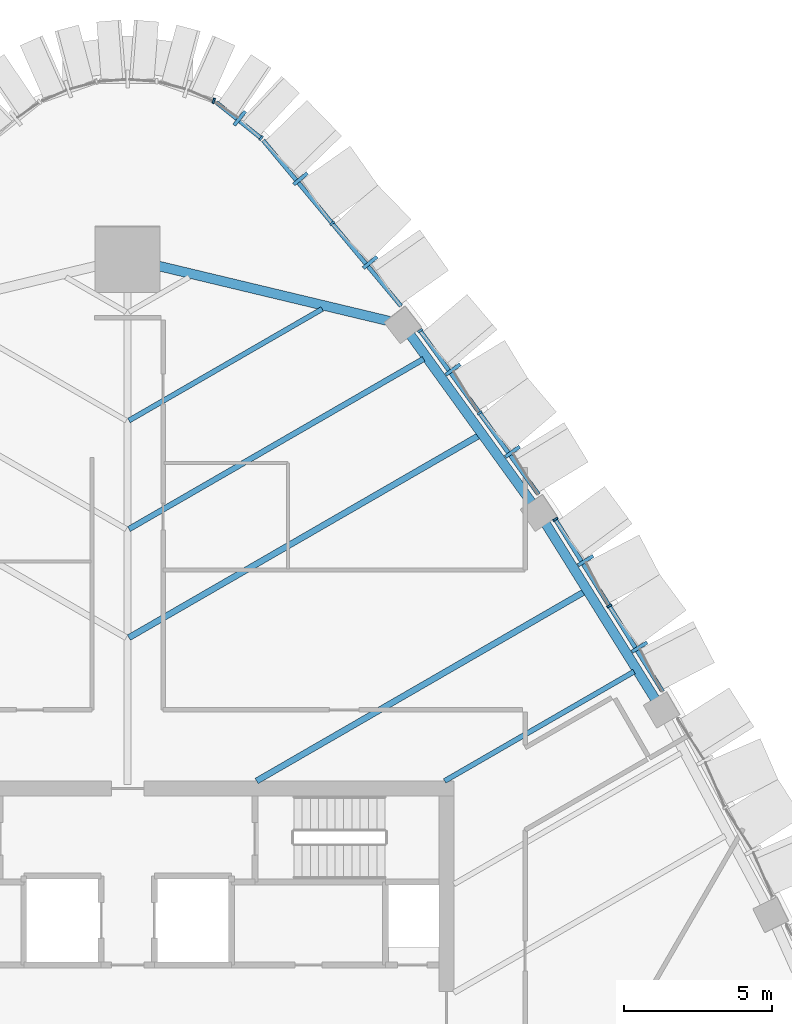
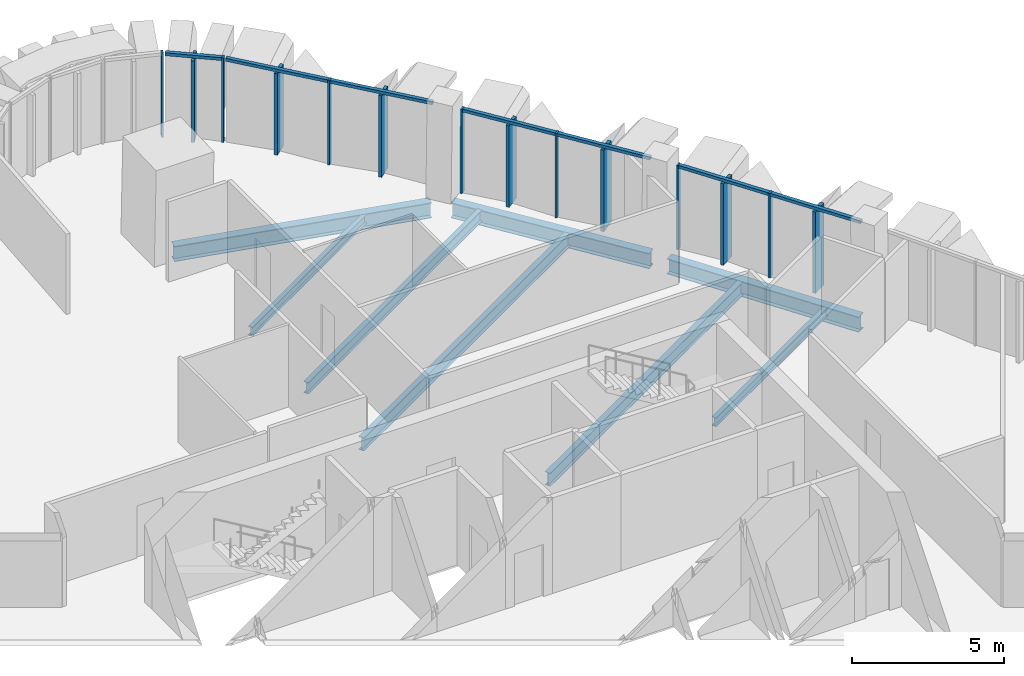
# One storey, part 7 of 19: 21 members, 8 beams, 5 elements without a shape of their own.
"""IFC4 building model written with IfcOpenShell, lengths in metres."""

from ifc_helpers import new_model, si_unit, direction, frame, origin, origin_2d, place, context, subcontext, project, spatial, rectangle, i_section, extrude, material, layer, layer_set, material_profile, profile_set, type_object, element, aggregate, save


model = new_model("IFC4")

# Units and contexts
model_context = context("Model", 3, precision=1e-05, world=origin(), true_north=direction((0.0, 1.0)))
body_context = subcontext(model_context, "Body", "Model", "MODEL_VIEW")
ifc_project = project(units=[si_unit("LENGTHUNIT", "METRE"), si_unit("AREAUNIT", "SQUARE_METRE"), si_unit("VOLUMEUNIT", "CUBIC_METRE"), si_unit("PLANEANGLEUNIT", "RADIAN"), si_unit("MASSUNIT", "GRAM", prefix="KILO")], contexts=[model_context])

# Site, building, storey
site_placement = place(None, origin())
site = spatial("IfcSite", under=ifc_project, at=site_placement, CompositionType="ELEMENT")
building_placement = place(site_placement, origin())
building = spatial("IfcBuilding", under=site, at=building_placement, Name="Sierra Prisma Convention Tower", CompositionType="ELEMENT")
storey_placement = place(building_placement, frame((0.0, 0.0, 235.0)))
storey = spatial("IfcBuildingStorey", under=building, at=storey_placement, Name="L52", CompositionType="ELEMENT", Elevation=235.0)

# Curtain wall, members
ifc_material_1 = material(Name="Aluminium and glass curtain wall", Category="aluminium")
ifc_layer = layer(ifc_material_1, 0.179931640625)
ifc_layer_set = layer_set([ifc_layer], Name="CW-2 Faceted crystal curtain wall")
curtain_wall_type = type_object("IfcCurtainWallType", Name="CW-2 Faceted crystal curtain wall", PredefinedType="NOTDEFINED", material=ifc_layer_set)
curtain_wall_1_placement = place(storey_placement, origin())
curtain_wall_1 = element("IfcCurtainWall", 1, at=curtain_wall_1_placement, inside=storey, type_object=curtain_wall_type, Name="CW-2 NE4 L52", PredefinedType="NOTDEFINED")
ifc_material_2 = material(Name="Aluminium 6063-T6 bronze anodised", Category="aluminium")
ifc_material_profile_1 = material_profile(ifc_material_2, rectangle(XDim=0.1201171875, YDim=0.60009765625, at=origin_2d()), Name="ALU RIDGE BLADE 120x600")
ifc_profile_set_1 = profile_set([ifc_material_profile_1], Name="Aluminium 6063-T6 bronze anodised")
member_type_1 = type_object("IfcMemberType", Name="CW hip bronze", PredefinedType="MULLION", material=ifc_profile_set_1)
member_1_placement = place(storey_placement, frame((17.260009765625, 12.513671875, 0.0), z_axis=(0.0, 0.0, 1.0), x_axis=(-0.529231619492, 0.848477396829, 0.0)))
member_1 = element("IfcMember", 2, at=member_1_placement, type_object=member_type_1, Name="CW-2 ridge NE4.1", PredefinedType="MULLION", context=body_context, shape_type="SweptSolid", body=[
    extrude(rectangle(XDim=0.1201171875, YDim=0.60009765625, at=origin_2d()), origin(), (0.0, 0.0, 1.0), 3.280029296875),
])
member_2_placement = place(storey_placement, frame((15.440673828125, 15.430419921875, 0.0), z_axis=(0.0, 0.0, 1.0), x_axis=(-0.529231619492, 0.848477396829, 0.0)))
member_2 = element("IfcMember", 3, at=member_2_placement, type_object=member_type_1, Name="CW-2 ridge NE4.2", PredefinedType="MULLION", context=body_context, shape_type="SweptSolid", body=[
    extrude(rectangle(XDim=0.1201171875, YDim=0.60009765625, at=origin_2d()), origin(), (0.0, 0.0, 1.0), 3.280029296875),
])

curtain_wall_2_placement = place(storey_placement, origin())
curtain_wall_2 = element("IfcCurtainWall", 4, at=curtain_wall_2_placement, inside=storey, type_object=curtain_wall_type, Name="CW-2 NE5 L52", PredefinedType="NOTDEFINED")
member_3_placement = place(storey_placement, frame((12.975830078125, 19.09765625, 0.0), z_axis=(0.0, 0.0, 1.0), x_axis=(-0.585816025717, 0.810444065937, 0.0)))
member_3 = element("IfcMember", 5, at=member_3_placement, type_object=member_type_1, Name="CW-2 ridge NE5.1", PredefinedType="MULLION", context=body_context, shape_type="SweptSolid", body=[
    extrude(rectangle(XDim=0.1201171875, YDim=0.60009765625, at=origin_2d()), origin(), (0.0, 0.0, 1.0), 3.280029296875),
])
member_4_placement = place(storey_placement, frame((10.970947265625, 21.871337890625, 0.0), z_axis=(0.0, 0.0, 1.0), x_axis=(-0.585816025717, 0.810444065937, 0.0)))
member_4 = element("IfcMember", 6, at=member_4_placement, type_object=member_type_1, Name="CW-2 ridge NE5.2", PredefinedType="MULLION", context=body_context, shape_type="SweptSolid", body=[
    extrude(rectangle(XDim=0.1201171875, YDim=0.60009765625, at=origin_2d()), origin(), (0.0, 0.0, 1.0), 3.280029296875),
])

curtain_wall_3_placement = place(storey_placement, origin())
curtain_wall_3 = element("IfcCurtainWall", 7, at=curtain_wall_3_placement, inside=storey, type_object=curtain_wall_type, Name="CW-2 NE6 L52", PredefinedType="NOTDEFINED")
member_5_placement = place(storey_placement, frame((8.177734375, 25.481689453125, 0.0), z_axis=(0.0, 0.0, 1.0), x_axis=(-0.639677366154, 0.768643524158, 0.0)))
member_5 = element("IfcMember", 8, at=member_5_placement, type_object=member_type_1, Name="CW-2 ridge NE6.1", PredefinedType="MULLION", context=body_context, shape_type="SweptSolid", body=[
    extrude(rectangle(XDim=0.1201171875, YDim=0.60009765625, at=origin_2d()), origin(), (0.0, 0.0, 1.0), 3.280029296875),
])
member_6_placement = place(storey_placement, frame((5.8310546875, 28.3017578125, 0.0), z_axis=(0.0, 0.0, 1.0), x_axis=(-0.639677366154, 0.768643524158, 0.0)))
member_6 = element("IfcMember", 9, at=member_6_placement, type_object=member_type_1, Name="CW-2 ridge NE6.2", PredefinedType="MULLION", context=body_context, shape_type="SweptSolid", body=[
    extrude(rectangle(XDim=0.1201171875, YDim=0.60009765625, at=origin_2d()), origin(), (0.0, 0.0, 1.0), 3.280029296875),
])

# Curtain wall, member
curtain_wall_4_placement = place(storey_placement, origin())
curtain_wall_4 = element("IfcCurtainWall", 10, at=curtain_wall_4_placement, inside=storey, type_object=curtain_wall_type, Name="CW-2 N1 L52", PredefinedType="NOTDEFINED")
member_7_placement = place(storey_placement, frame((3.778076171875, 30.341064453125, 0.0), z_axis=(0.0, 0.0, 1.0), x_axis=(-0.781270568223, 0.624192517761, 0.0)))
member_7 = element("IfcMember", 11, at=member_7_placement, type_object=member_type_1, Name="CW-2 ridge N1.1", PredefinedType="MULLION", context=body_context, shape_type="SweptSolid", body=[
    extrude(rectangle(XDim=0.1201171875, YDim=0.60009765625, at=origin_2d()), origin(), (0.0, 0.0, 1.0), 3.280029296875),
])

# Member
ifc_material_3 = material(Name="Aluminium 6063-T6 bronze anodised", Category="aluminium")
ifc_material_profile_2 = material_profile(ifc_material_3, rectangle(XDim=0.179931640625, YDim=0.070068359375, at=origin_2d()), Name="ALU MULLION 70x180")
ifc_profile_set_2 = profile_set([ifc_material_profile_2], Name="Aluminium 6063-T6 bronze anodised")
member_type_2 = type_object("IfcMemberType", Name="CW mullion bronze", PredefinedType="MULLION", material=ifc_profile_set_2)
member_8_placement = place(storey_placement, frame((16.238037109375, 13.90185546875, 0.0), z_axis=(0.0, 0.0, 1.0), x_axis=(-0.848477396829, -0.529231619492, 0.0)))
member_8 = element("IfcMember", 12, at=member_8_placement, type_object=member_type_2, Name="CW-1 mullion NE4.2", PredefinedType="MULLION", context=body_context, shape_type="SweptSolid", body=[
    extrude(rectangle(XDim=0.179931640625, YDim=0.070068359375, at=origin_2d()), origin(), (0.0, 0.0, 1.0), 3.39990234375),
])

member_9_placement = place(storey_placement, frame((14.418701171875, 16.81884765625, 0.0), z_axis=(0.0, 0.0, 1.0), x_axis=(-0.848477396829, -0.529231619492, 0.0)))
member_9 = element("IfcMember", 13, at=member_9_placement, type_object=member_type_2, Name="CW-1 mullion NE4.3", PredefinedType="MULLION", context=body_context, shape_type="SweptSolid", body=[
    extrude(rectangle(XDim=0.179931640625, YDim=0.070068359375, at=origin_2d()), origin(), (0.0, 0.0, 1.0), 3.39990234375),
])

member_10_placement = place(storey_placement, frame((11.866455078125, 20.4072265625, 0.0), z_axis=(0.0, 0.0, 1.0), x_axis=(-0.810444065937, -0.585816025717, 0.0)))
member_10 = element("IfcMember", 14, at=member_10_placement, type_object=member_type_2, Name="CW-1 mullion NE5.2", PredefinedType="MULLION", context=body_context, shape_type="SweptSolid", body=[
    extrude(rectangle(XDim=0.179931640625, YDim=0.070068359375, at=origin_2d()), origin(), (0.0, 0.0, 1.0), 3.39990234375),
])

member_11_placement = place(storey_placement, frame((9.861572265625, 23.180908203125, 0.0), z_axis=(0.0, 0.0, 1.0), x_axis=(-0.810444065937, -0.585816025717, 0.0)))
member_11 = element("IfcMember", 15, at=member_11_placement, type_object=member_type_2, Name="CW-1 mullion NE5.3", PredefinedType="MULLION", context=body_context, shape_type="SweptSolid", body=[
    extrude(rectangle(XDim=0.179931640625, YDim=0.070068359375, at=origin_2d()), origin(), (0.0, 0.0, 1.0), 3.39990234375),
])

member_12_placement = place(storey_placement, frame((6.8955078125, 26.80126953125, 0.0), z_axis=(0.0, 0.0, 1.0), x_axis=(-0.768643524158, -0.639677366154, 0.0)))
member_12 = element("IfcMember", 16, at=member_12_placement, type_object=member_type_2, Name="CW-1 mullion NE6.2", PredefinedType="MULLION", context=body_context, shape_type="SweptSolid", body=[
    extrude(rectangle(XDim=0.179931640625, YDim=0.070068359375, at=origin_2d()), origin(), (0.0, 0.0, 1.0), 3.39990234375),
])

member_13_placement = place(storey_placement, frame((4.4990234375, 29.669921875, 0.0), z_axis=(0.0, 0.0, 1.0), x_axis=(-0.624192517761, -0.781270568223, 0.0)))
member_13 = element("IfcMember", 17, at=member_13_placement, type_object=member_type_2, Name="CW-1 mullion N1.1", PredefinedType="MULLION", context=body_context, shape_type="SweptSolid", body=[
    extrude(rectangle(XDim=0.179931640625, YDim=0.070068359375, at=origin_2d()), origin(), (0.0, 0.0, 1.0), 3.39990234375),
])

# Curtain wall, member
curtain_wall_5_placement = place(storey_placement, origin())
curtain_wall_5 = element("IfcCurtainWall", 18, at=curtain_wall_5_placement, inside=storey, type_object=curtain_wall_type, Name="CW-2 N2 L52", PredefinedType="NOTDEFINED")
member_14_placement = place(storey_placement, frame((2.904052734375, 30.929443359375, 0.0), z_axis=(0.0, 0.0, 1.0), x_axis=(-0.330703365395, -0.943734753051, 0.0)))
member_14 = element("IfcMember", 19, at=member_14_placement, type_object=member_type_2, Name="CW-1 mullion N2.1", PredefinedType="MULLION", context=body_context, shape_type="SweptSolid", body=[
    extrude(rectangle(XDim=0.179931640625, YDim=0.070068359375, at=origin_2d()), origin(), (0.0, 0.0, 1.0), 3.39990234375),
])
aggregate(curtain_wall_5, [member_14])

# Member
ifc_material_4 = material(Name="Aluminium 6063-T6 bronze anodised", Category="aluminium")
ifc_material_profile_3 = material_profile(ifc_material_4, rectangle(XDim=0.139892578125, YDim=0.1201171875, at=origin_2d()), Name="ALU TRANSOM 120x140")
ifc_profile_set_3 = profile_set([ifc_material_profile_3], Name="Aluminium 6063-T6 bronze anodised")
member_type_3 = type_object("IfcMemberType", Name="CW transom bronze", PredefinedType="USERDEFINED", material=ifc_profile_set_3)
member_15_placement = place(storey_placement, frame((18.038818359375, 11.014892578125, 3.340087890625), z_axis=(-0.52926892995, 0.848454123562, 0.0), x_axis=(-0.848454123562, -0.52926892995, 0.0)))
member_15 = element("IfcMember", 20, at=member_15_placement, type_object=member_type_3, Name="CW-1 transom NE4.1", ObjectType="TRANSOM", PredefinedType="USERDEFINED", context=body_context, shape_type="SweptSolid", body=[
    extrude(rectangle(XDim=0.139892578125, YDim=0.1201171875, at=origin_2d()), origin(), (0.0, 0.0, 1.0), 3.36767578125),
])

member_16_placement = place(storey_placement, frame((16.219482421875, 13.931640625, 3.340087890625), z_axis=(-0.52926892995, 0.848454123562, 0.0), x_axis=(-0.848454123562, -0.52926892995, 0.0)))
member_16 = element("IfcMember", 21, at=member_16_placement, type_object=member_type_3, Name="CW-1 transom NE4.2", ObjectType="TRANSOM", PredefinedType="USERDEFINED", context=body_context, shape_type="SweptSolid", body=[
    extrude(rectangle(XDim=0.139892578125, YDim=0.1201171875, at=origin_2d()), origin(), (0.0, 0.0, 1.0), 3.36767578125),
])

aggregate(curtain_wall_1, [member_8, member_9, member_15, member_1, member_16, member_2])

member_17_placement = place(storey_placement, frame((13.850830078125, 17.661865234375, 3.340087890625), z_axis=(-0.585796284382, 0.810458335267, 0.0), x_axis=(-0.810458335267, -0.585796284382, 0.0)))
member_17 = element("IfcMember", 22, at=member_17_placement, type_object=member_type_3, Name="CW-1 transom NE5.1", ObjectType="TRANSOM", PredefinedType="USERDEFINED", context=body_context, shape_type="SweptSolid", body=[
    extrude(rectangle(XDim=0.139892578125, YDim=0.1201171875, at=origin_2d()), origin(), (0.0, 0.0, 1.0), 3.3525390625),
])

member_18_placement = place(storey_placement, frame((11.845947265625, 20.435546875, 3.340087890625), z_axis=(-0.585796284382, 0.810458335267, 0.0), x_axis=(-0.810458335267, -0.585796284382, 0.0)))
member_18 = element("IfcMember", 23, at=member_18_placement, type_object=member_type_3, Name="CW-1 transom NE5.2", ObjectType="TRANSOM", PredefinedType="USERDEFINED", context=body_context, shape_type="SweptSolid", body=[
    extrude(rectangle(XDim=0.139892578125, YDim=0.1201171875, at=origin_2d()), origin(), (0.0, 0.0, 1.0), 3.3525390625),
])

aggregate(curtain_wall_2, [member_10, member_11, member_17, member_3, member_18, member_4])

member_19_placement = place(storey_placement, frame((9.219970703125, 24.008056640625, 3.340087890625), z_axis=(-0.639677117458, 0.768643731127, 0.0), x_axis=(-0.768643731127, -0.639677117458, 0.0)))
member_19 = element("IfcMember", 24, at=member_19_placement, type_object=member_type_3, Name="CW-1 transom NE6.1", ObjectType="TRANSOM", PredefinedType="USERDEFINED", context=body_context, shape_type="SweptSolid", body=[
    extrude(rectangle(XDim=0.139892578125, YDim=0.1201171875, at=origin_2d()), origin(), (0.0, 0.0, 1.0), 3.5986328125),
])

member_20_placement = place(storey_placement, frame((6.873046875, 26.828125, 3.340087890625), z_axis=(-0.639677117458, 0.768643731127, 0.0), x_axis=(-0.768643731127, -0.639677117458, 0.0)))
member_20 = element("IfcMember", 25, at=member_20_placement, type_object=member_type_3, Name="CW-1 transom NE6.2", ObjectType="TRANSOM", PredefinedType="USERDEFINED", context=body_context, shape_type="SweptSolid", body=[
    extrude(rectangle(XDim=0.139892578125, YDim=0.1201171875, at=origin_2d()), origin(), (0.0, 0.0, 1.0), 3.5986328125),
])

aggregate(curtain_wall_3, [member_12, member_19, member_5, member_20, member_6])

member_21_placement = place(storey_placement, frame((4.4716796875, 29.691650390625, 3.340087890625), z_axis=(-0.78128357483, 0.624176237694, 0.0), x_axis=(-0.624176237694, -0.78128357483, 0.0)))
member_21 = element("IfcMember", 26, at=member_21_placement, type_object=member_type_3, Name="CW-1 transom N1.1", ObjectType="TRANSOM", PredefinedType="USERDEFINED", context=body_context, shape_type="SweptSolid", body=[
    extrude(rectangle(XDim=0.139892578125, YDim=0.1201171875, at=origin_2d()), origin(), (0.0, 0.0, 1.0), 1.894287109375),
])

aggregate(curtain_wall_4, [member_13, member_21, member_7])

# Beams
ifc_material_5 = material(Name="Steel ASTM A992 Gr 50", Category="steel")
ifc_material_profile_4 = material_profile(ifc_material_5, i_section(OverallWidth=0.172119140625, OverallDepth=0.35791015625, WebThickness=0.0078125, FlangeThickness=0.01318359375, at=origin_2d()), Name="W360x57")
ifc_profile_set_4 = profile_set([ifc_material_profile_4], Name="Steel ASTM A992 Gr 50")
beam_type_1 = type_object("IfcBeamType", Name="Floor joist W360x57", PredefinedType="JOIST", material=ifc_profile_set_4)
beam_1_placement = place(storey_placement, frame((17.074462890625, 11.687255859375, -0.3291015625), z_axis=(-0.866032328097, -0.499988006546, 0.0), x_axis=(0.499988006546, -0.866032328097, 0.0)))
element("IfcBeam", 27, at=beam_1_placement, inside=storey, type_object=beam_type_1, Name="Floor joist L52 NE08", PredefinedType="JOIST", context=body_context, shape_type="SweptSolid", body=[
    extrude(i_section(OverallWidth=0.172119140625, OverallDepth=0.35791015625, WebThickness=0.0078125, FlangeThickness=0.01318359375, at=origin_2d()), origin(), (0.0, 0.0, 1.0), 7.374755859375),
])
beam_2_placement = place(storey_placement, frame((6.560546875, 23.91162109375, -0.3291015625), z_axis=(-0.866025608725, -0.499999645032, 0.0), x_axis=(0.499999645032, -0.866025608725, 0.0)))
element("IfcBeam", 28, at=beam_2_placement, inside=storey, type_object=beam_type_1, Name="Floor joist L52 NE13", PredefinedType="JOIST", context=body_context, shape_type="SweptSolid", body=[
    extrude(i_section(OverallWidth=0.172119140625, OverallDepth=0.35791015625, WebThickness=0.0078125, FlangeThickness=0.01318359375, at=origin_2d()), origin(), (0.0, 0.0, 1.0), 7.5224609375),
])
ifc_material_6 = material(Name="Steel ASTM A992 Gr 50", Category="steel")
ifc_material_profile_5 = material_profile(ifc_material_6, i_section(OverallWidth=0.18994140625, OverallDepth=0.45703125, WebThickness=0.009033203125, FlangeThickness=0.014404296875, at=origin_2d()), Name="W460x74")
ifc_profile_set_5 = profile_set([ifc_material_profile_5], Name="Steel ASTM A992 Gr 50")
beam_type_2 = type_object("IfcBeamType", Name="Floor joist W460x74", PredefinedType="JOIST", material=ifc_profile_set_5)
beam_3_placement = place(storey_placement, frame((9.980224609375, 22.22705078125, -0.37841796875), z_axis=(-0.866025033342, -0.500000641624, 0.0), x_axis=(0.500000641624, -0.866025033342, 0.0)))
element("IfcBeam", 29, at=beam_3_placement, inside=storey, type_object=beam_type_2, Name="Floor joist L52 NE12", PredefinedType="JOIST", context=body_context, shape_type="SweptSolid", body=[
    extrude(i_section(OverallWidth=0.18994140625, OverallDepth=0.45703125, WebThickness=0.009033203125, FlangeThickness=0.014404296875, at=origin_2d()), origin(), (0.0, 0.0, 1.0), 11.47119140625),
])
ifc_material_7 = material(Name="Steel ASTM A992 Gr 50", Category="steel")
ifc_material_profile_6 = material_profile(ifc_material_7, i_section(OverallWidth=0.208984375, OverallDepth=0.532958984375, WebThickness=0.01025390625, FlangeThickness=0.015625, at=origin_2d()), Name="W530x92")
ifc_profile_set_6 = profile_set([ifc_material_profile_6], Name="Steel ASTM A992 Gr 50")
beam_type_3 = type_object("IfcBeamType", Name="Floor joist W530x92", PredefinedType="JOIST", material=ifc_profile_set_6)
beam_4_placement = place(storey_placement, frame((15.396484375, 14.37744140625, -0.41650390625), z_axis=(-0.866027168587, -0.49999694326, 0.0), x_axis=(0.49999694326, -0.866027168587, 0.0)))
element("IfcBeam", 30, at=beam_4_placement, inside=storey, type_object=beam_type_3, Name="Floor joist L52 NE09", PredefinedType="JOIST", context=body_context, shape_type="SweptSolid", body=[
    extrude(i_section(OverallWidth=0.208984375, OverallDepth=0.532958984375, WebThickness=0.01025390625, FlangeThickness=0.015625, at=origin_2d()), origin(), (0.0, 0.0, 1.0), 12.7548828125),
])
beam_5_placement = place(storey_placement, frame((11.846435546875, 19.6455078125, -0.41650390625), z_axis=(-0.866034909742, -0.499983534837, 0.0), x_axis=(0.499983534837, -0.866034909742, 0.0)))
element("IfcBeam", 31, at=beam_5_placement, inside=storey, type_object=beam_type_3, Name="Floor joist L52 NE11", PredefinedType="JOIST", context=body_context, shape_type="SweptSolid", body=[
    extrude(i_section(OverallWidth=0.208984375, OverallDepth=0.532958984375, WebThickness=0.01025390625, FlangeThickness=0.015625, at=origin_2d()), origin(), (0.0, 0.0, 1.0), 13.6259765625),
])
ifc_material_8 = material(Name="Steel ASTM A992 Gr 50", Category="steel")
ifc_material_profile_7 = material_profile(ifc_material_8, i_section(OverallWidth=0.324951171875, OverallDepth=0.615966796875, WebThickness=0.013916015625, FlangeThickness=0.021484375, at=origin_2d()), Name="W610x174")
ifc_profile_set_7 = profile_set([ifc_material_profile_7], Name="Steel ASTM A992 Gr 50")
beam_type_4 = type_object("IfcBeamType", Name="Spandrel beam W610x174", PredefinedType="BEAM", material=ifc_profile_set_7)
for number, where, z_axis, x_axis, name in (
    (32, (17.836181640625, 10.6787109375, -0.4580078125), (-0.529249191137, 0.84846643639, 0.0), (-0.84846643639, -0.529249191137, 0.0), "Spandrel L52-10"),
    (33, (13.671630859375, 17.312744140625, -0.4580078125), (-0.585813599971, 0.810445819342, 0.0), (-0.810445819342, -0.585813599971, 0.0), "Spandrel L52-11"),
):
    element("IfcBeam", number, at=place(storey_placement, frame(where, z_axis=z_axis, x_axis=x_axis)), inside=storey, type_object=beam_type_4, Name=name, PredefinedType="BEAM", context=body_context, shape_type="SweptSolid", body=[
        extrude(i_section(OverallWidth=0.324951171875, OverallDepth=0.615966796875, WebThickness=0.013916015625, FlangeThickness=0.021484375, at=origin_2d()), origin(), (0.0, 0.0, 1.0), 7.173095703125),
    ])
beam_6_placement = place(storey_placement, frame((8.83154296875, 23.500244140625, -0.4580078125), z_axis=(-0.972577942558, 0.232577182136, 0.0), x_axis=(-0.232577182136, -0.972577942558, 0.0)))
element("IfcBeam", 34, at=beam_6_placement, inside=storey, type_object=beam_type_4, Name="Spandrel L52-12", PredefinedType="BEAM", context=body_context, shape_type="SweptSolid", body=[
    extrude(i_section(OverallWidth=0.324951171875, OverallDepth=0.615966796875, WebThickness=0.013916015625, FlangeThickness=0.021484375, at=origin_2d()), origin(), (0.0, 0.0, 1.0), 8.8544921875),
])

save(model, "model.ifc")
